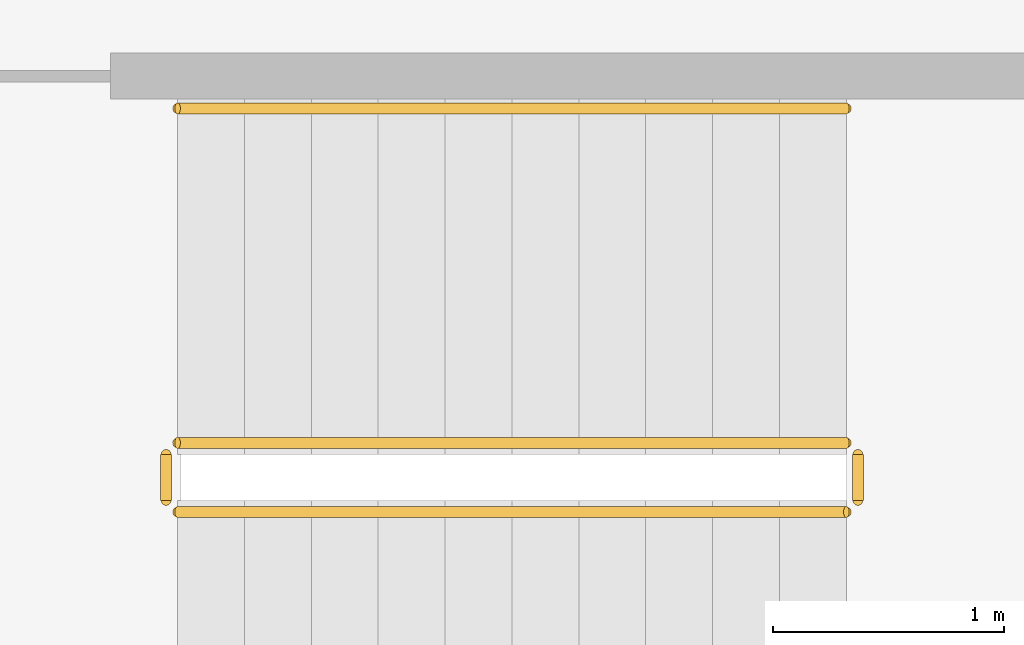
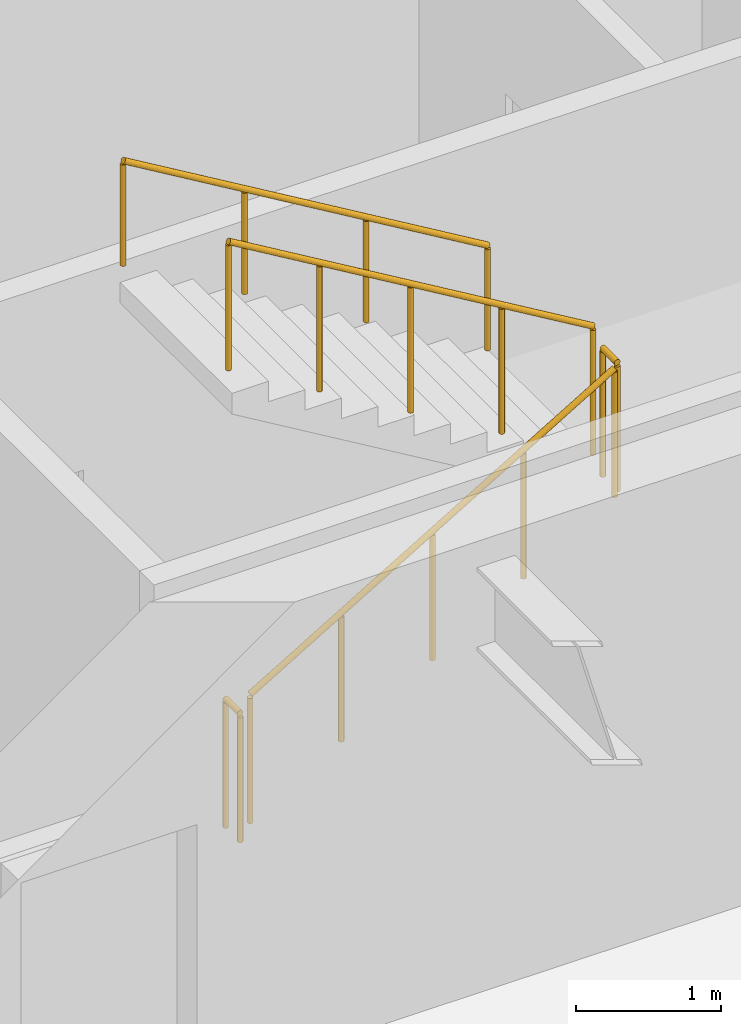
# One storey, part 23 of 24: 5 railings.
"""IFC4 building model written with IfcOpenShell, lengths in metres."""

from ifc_helpers import new_model, si_unit, direction, frame, origin, origin_2d, place, context, subcontext, project, spatial, circle, extrude, material, type_object, element, save


model = new_model("IFC4")

# Units and contexts
model_context = context("Model", 3, precision=1e-05, world=origin(), true_north=direction((0.0, 1.0)))
body_context = subcontext(model_context, "Body", "Model", "MODEL_VIEW")
ifc_project = project(units=[si_unit("LENGTHUNIT", "METRE"), si_unit("AREAUNIT", "SQUARE_METRE"), si_unit("VOLUMEUNIT", "CUBIC_METRE"), si_unit("PLANEANGLEUNIT", "RADIAN"), si_unit("MASSUNIT", "GRAM", prefix="KILO")], contexts=[model_context])

# Site, building, storey
site_placement = place(None, origin())
site = spatial("IfcSite", under=ifc_project, at=site_placement, CompositionType="ELEMENT")
building_placement = place(site_placement, origin())
building = spatial("IfcBuilding", under=site, at=building_placement, Name="Putna Gate Headquarters", CompositionType="ELEMENT")
storey_placement = place(building_placement, frame((0.0, 0.0, 240.39990234375)))
storey = spatial("IfcBuildingStorey", under=building, at=storey_placement, Name="L60", CompositionType="ELEMENT", Elevation=240.39990234375)

# Railings
ifc_material_1 = material(Name="Powder-coated steel stair guardrail", Category="steel")
railing_type_1 = type_object("IfcRailingType", Name="RAIL-STAIR-GUARD-1100", PredefinedType="GUARDRAIL", material=ifc_material_1)
railing_1_placement = place(storey_placement, frame((57.89990234375, 21.10009765625, 0.1728515625)))
element("IfcRailing", 1, at=railing_1_placement, inside=storey, type_object=railing_type_1, Name="L60 ST2 stair guard 1", PredefinedType="GUARDRAIL", context=body_context, shape_type="SweptSolid", body=[
    extrude(circle(Radius=0.02392578125, at=origin_2d()), frame((0.0, 0.0, 1.076171875), z_axis=(0.859160404282, 0.0, 0.51170636083), x_axis=(0.0, 1.0, 0.0)), (0.0, 0.0, 1.0), 3.37548828125),
    extrude(circle(Radius=0.02099609375, at=origin_2d()), origin(), (0.0, 0.0, 1.0), 1.052001953125),
    extrude(circle(Radius=0.02099609375, at=origin_2d()), frame((0.72509765625, 0.0, 0.431884765625)), (0.0, 0.0, 1.0), 1.052001953125),
    extrude(circle(Radius=0.02099609375, at=origin_2d()), frame((1.4501953125, 0.0, 0.86376953125)), (0.0, 0.0, 1.0), 1.052001953125),
    extrude(circle(Radius=0.02099609375, at=origin_2d()), frame((2.175048828125, 0.0, 1.29541015625)), (0.0, 0.0, 1.0), 1.052001953125),
    extrude(circle(Radius=0.02099609375, at=origin_2d()), frame((2.900146484375, 0.0, 1.727294921875)), (0.0, 0.0, 1.0), 1.052001953125),
])
railing_2_placement = place(storey_placement, frame((60.85009765625, 21.14990234375, 1.900146484375)))
element("IfcRailing", 2, at=railing_2_placement, inside=storey, type_object=railing_type_1, Name="L60 ST2 stair guard 2", PredefinedType="GUARDRAIL", context=body_context, shape_type="SweptSolid", body=[
    extrude(circle(Radius=0.02392578125, at=origin_2d()), frame((0.0, 0.0, 1.076171875), z_axis=(0.0, 1.0, 0.0), x_axis=(-1.0, 0.0, 0.0)), (0.0, 0.0, 1.0), 0.2001953125),
    extrude(circle(Radius=0.02099609375, at=origin_2d()), origin(), (0.0, 0.0, 1.0), 1.052001953125),
    extrude(circle(Radius=0.02099609375, at=origin_2d()), frame((0.0, 0.2001953125, 0.0)), (0.0, 0.0, 1.0), 1.052001953125),
])
railing_3_placement = place(storey_placement, frame((60.800048828125, 21.39990234375, 2.07275390625)))
element("IfcRailing", 3, at=railing_3_placement, inside=storey, type_object=railing_type_1, Name="L60 ST2 stair guard 3", PredefinedType="GUARDRAIL", context=body_context, shape_type="SweptSolid", body=[
    extrude(circle(Radius=0.02392578125, at=origin_2d()), frame((0.0, 0.0, 1.076171875), z_axis=(-0.859160404282, 0.0, 0.51170636083), x_axis=(0.0, -1.0, 0.0)), (0.0, 0.0, 1.0), 3.37548828125),
    extrude(circle(Radius=0.02099609375, at=origin_2d()), origin(), (0.0, 0.0, 1.0), 1.052001953125),
    extrude(circle(Radius=0.02099609375, at=origin_2d()), frame((-0.72509765625, 0.0, 0.431884765625)), (0.0, 0.0, 1.0), 1.052001953125),
    extrude(circle(Radius=0.02099609375, at=origin_2d()), frame((-1.4501953125, 0.0, 0.86376953125)), (0.0, 0.0, 1.0), 1.052001953125),
    extrude(circle(Radius=0.02099609375, at=origin_2d()), frame((-2.175048828125, 0.0, 1.29541015625)), (0.0, 0.0, 1.0), 1.052001953125),
    extrude(circle(Radius=0.02099609375, at=origin_2d()), frame((-2.900146484375, 0.0, 1.727294921875)), (0.0, 0.0, 1.0), 1.052001953125),
])
railing_4_placement = place(storey_placement, frame((57.85009765625, 21.14990234375, 0.0)))
element("IfcRailing", 4, at=railing_4_placement, inside=storey, type_object=railing_type_1, Name="L60 ST2 stair guard 4", PredefinedType="GUARDRAIL", context=body_context, shape_type="SweptSolid", body=[
    extrude(circle(Radius=0.02392578125, at=origin_2d()), frame((0.0, 0.0, 1.076171875), z_axis=(0.0, 1.0, 0.0), x_axis=(-1.0, 0.0, 0.0)), (0.0, 0.0, 1.0), 0.2001953125),
    extrude(circle(Radius=0.02099609375, at=origin_2d()), origin(), (0.0, 0.0, 1.0), 1.052001953125),
    extrude(circle(Radius=0.02099609375, at=origin_2d()), frame((0.0, 0.2001953125, 0.0)), (0.0, 0.0, 1.0), 1.052001953125),
])
ifc_material_2 = material(Name="Brushed stainless steel handrail", Category="steel")
railing_type_2 = type_object("IfcRailingType", Name="RAIL-STAIR-HAND-900", PredefinedType="HANDRAIL", material=ifc_material_2)
railing_5_placement = place(storey_placement, frame((60.800048828125, 22.85009765625, 2.07275390625)))
element("IfcRailing", 5, at=railing_5_placement, inside=storey, type_object=railing_type_2, Name="L60 ST2 stair handrail 2", PredefinedType="HANDRAIL", context=body_context, shape_type="SweptSolid", body=[
    extrude(circle(Radius=0.02392578125, at=origin_2d()), frame((0.0, 0.0, 0.8759765625), z_axis=(-0.859160404282, 0.0, 0.51170636083), x_axis=(0.0, -1.0, 0.0)), (0.0, 0.0, 1.0), 3.37548828125),
    extrude(circle(Radius=0.02099609375, at=origin_2d()), origin(), (0.0, 0.0, 1.0), 0.851806640625),
    extrude(circle(Radius=0.02099609375, at=origin_2d()), frame((-0.966796875, 0.0, 0.57568359375)), (0.0, 0.0, 1.0), 0.851806640625),
    extrude(circle(Radius=0.02099609375, at=origin_2d()), frame((-1.933349609375, 0.0, 1.151611328125)), (0.0, 0.0, 1.0), 0.851806640625),
    extrude(circle(Radius=0.02099609375, at=origin_2d()), frame((-2.900146484375, 0.0, 1.727294921875)), (0.0, 0.0, 1.0), 0.851806640625),
])

save(model, "model.ifc")
